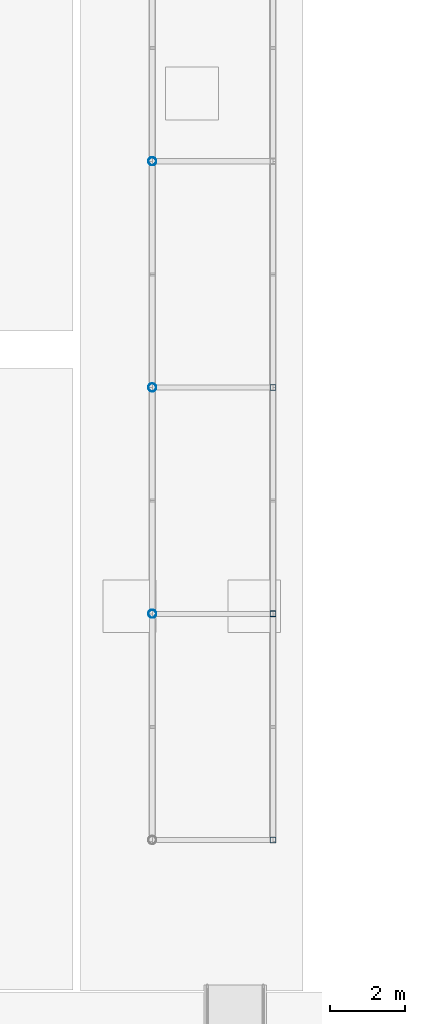
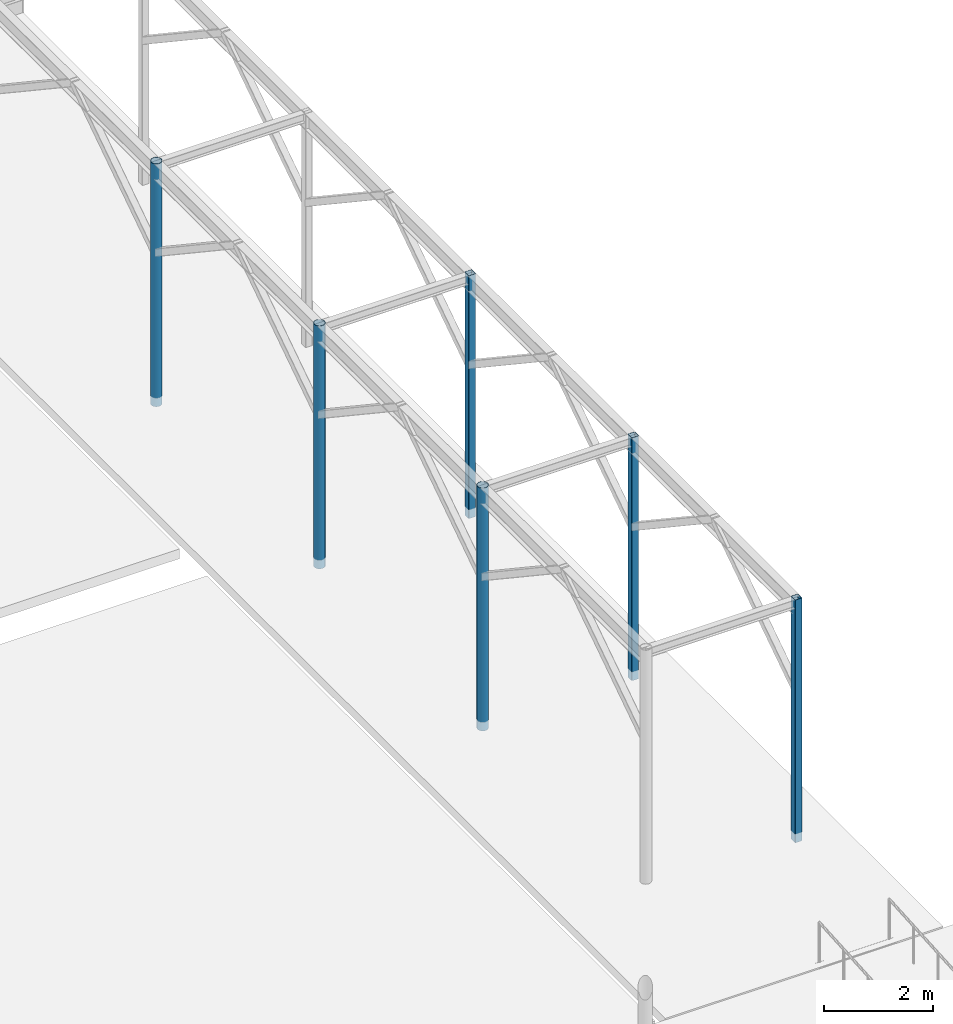
# One storey, part 36 of 119: 6 columns.
"""IFC4 building model written with IfcOpenShell, lengths in metres."""

import ifcopenshell
import ifcopenshell.guid

model = None  # the IFC model being written
_history = None  # IfcOwnerHistory: only IFC2X3 demands one
_inside = {}  # id of a spatial element -> (the spatial element, [elements in it])
_under = {}  # id of a project, library or spatial element -> (it, [spatial elements below it])
_declared = {}  # id of a project -> (the project, [libraries it declares])
_typed = {}  # id of a type object -> (the type object, [elements of that type])
_made_of = {}  # id of a material, layer set ... -> (it, [elements and type objects made of it])


def new_model(schema):
    """Start an empty IFC model of exactly this schema.

    Asked for "IFC4X3", IfcOpenShell would pick the latest addendum, in which some entities
    have other attributes; the version numbers below select the first issue.
    IFC2X3 requires an IfcOwnerHistory on every rooted entity: one is made here for all.
    """
    global model, _history
    if schema == "IFC4X3":
        model = ifcopenshell.file(schema_version=(4, 3, 0, 0))
    else:
        model = ifcopenshell.file(schema=schema)
    _inside.clear()
    _under.clear()
    _declared.clear()
    _typed.clear()
    _made_of.clear()
    _history = None
    if model.schema == "IFC2X3":
        org = make("IfcOrganization", Name="unknown")
        user = make(
            "IfcPersonAndOrganization",
            ThePerson=make("IfcPerson", FamilyName="unknown"),
            TheOrganization=org,
        )
        app = make(
            "IfcApplication",
            ApplicationDeveloper=org,
            Version="unknown",
            ApplicationFullName="unknown",
            ApplicationIdentifier="unknown",
        )
        _history = make(
            "IfcOwnerHistory",
            OwningUser=user,
            OwningApplication=app,
            ChangeAction="ADDED",
            CreationDate=0,
        )
    return model


def make(cls, **values):
    """One entity of the class cls with the attributes given. An attribute that is None is left unset."""
    return model.create_entity(
        cls, **{name: value for name, value in values.items() if value is not None}
    )


def rooted(cls, **values):
    """An entity with a GlobalId (a new one), such as an element, a storey or a relation."""
    return make(cls, GlobalId=ifcopenshell.guid.new(), OwnerHistory=_history, **values)


def si_unit(unit_type, name, prefix=None):
    """IfcSIUnit, for example si_unit("LENGTHUNIT", "METRE", prefix="MILLI")."""
    return make("IfcSIUnit", UnitType=unit_type, Prefix=prefix, Name=name)


def derived_unit(unit_type, elements):
    """IfcDerivedUnit: a product of units, each with its exponent."""
    return make(
        "IfcDerivedUnit",
        Elements=[
            make("IfcDerivedUnitElement", Unit=unit, Exponent=power)
            for unit, power in elements
        ],
        UnitType=unit_type,
    )


def assignment(units):
    """IfcUnitAssignment: the units of a project."""
    return None if units is None else make("IfcUnitAssignment", Units=units)


def point(xyz):
    """IfcCartesianPoint."""
    return None if xyz is None else make("IfcCartesianPoint", Coordinates=xyz)


def direction(xyz):
    """IfcDirection."""
    return None if xyz is None else make("IfcDirection", DirectionRatios=xyz)


def frame(location, z_axis=None, x_axis=None):
    """IfcAxis2Placement3D, a coordinate frame: its origin and axes. An axis left out is left unset."""
    return make(
        "IfcAxis2Placement3D",
        Location=point(location),
        Axis=direction(z_axis),
        RefDirection=direction(x_axis),
    )


def frame_2d(location, x_axis=None):
    """IfcAxis2Placement2D, a coordinate frame in the plane: its origin and x axis."""
    return make(
        "IfcAxis2Placement2D", Location=point(location), RefDirection=direction(x_axis)
    )


def origin():
    """The frame at (0, 0, 0) with its axes left unset."""
    return frame((0.0, 0.0, 0.0))


def origin_2d_with_axis():
    """The frame at (0, 0) in the plane with the x axis (1, 0) written out."""
    return frame_2d((0.0, 0.0), x_axis=(1.0, 0.0))


def place(relative_to, where):
    """IfcLocalPlacement: puts the frame where relative to a parent placement (None: the world)."""
    return make(
        "IfcLocalPlacement", PlacementRelTo=relative_to, RelativePlacement=where
    )


def context(
    kind, dimensions, precision=None, world=None, true_north=None, identifier=None
):
    """IfcGeometricRepresentationContext, for example the 3D "Model" context."""
    return make(
        "IfcGeometricRepresentationContext",
        ContextIdentifier=identifier,
        ContextType=kind,
        CoordinateSpaceDimension=dimensions,
        Precision=precision,
        WorldCoordinateSystem=world,
        TrueNorth=true_north,
    )


def subcontext(parent, identifier, kind, view, scale=None):
    """IfcGeometricRepresentationSubContext, for example "Body" below "Model"."""
    return make(
        "IfcGeometricRepresentationSubContext",
        ContextIdentifier=identifier,
        ContextType=kind,
        ParentContext=parent,
        TargetScale=scale,
        TargetView=view,
    )


def project(units=None, contexts=None):
    """IfcProject with its units and contexts."""
    return rooted(
        "IfcProject",
        Name="project",
        RepresentationContexts=contexts,
        UnitsInContext=assignment(units),
    )


def spatial(cls, under=None, at=None, **own):
    """A site, building, storey or space (cls), placed at a placement, below another one or the project."""
    s = rooted(cls, ObjectPlacement=at, **own)
    if under is not None:
        _under.setdefault(under.id(), (under, []))[1].append(s)
    return s


def profile(cls, at=None, kind="AREA", **sizes):
    """A parametric profile (cls). Its sizes go by their IFC names, for example OverallWidth=200.0."""
    return make(cls, ProfileType=kind, Position=at, **sizes)


def hollow_rectangle(**sizes):
    """IfcRectangleHollowProfileDef."""
    return profile("IfcRectangleHollowProfileDef", **sizes)


def hollow_circle(**sizes):
    """IfcCircleHollowProfileDef."""
    return profile("IfcCircleHollowProfileDef", **sizes)


def extrude(swept, where, along, depth):
    """IfcExtrudedAreaSolid: the profile swept, set in the frame where, extruded along a direction by depth."""
    return make(
        "IfcExtrudedAreaSolid",
        SweptArea=swept,
        Position=where,
        ExtrudedDirection=direction(along),
        Depth=depth,
    )


def shape(context_of_items, identifier, shape_type, items):
    """IfcShapeRepresentation: the items that make up one representation, for example the "Body"."""
    return make(
        "IfcShapeRepresentation",
        ContextOfItems=context_of_items,
        RepresentationIdentifier=identifier,
        RepresentationType=shape_type,
        Items=items,
    )


def material(Name=None, Category=None):
    """IfcMaterial."""
    return make("IfcMaterial", Name=Name, Category=Category)


def material_profile(
    of_material, cross_section, Name=None, Category=None, Priority=None
):
    """IfcMaterialProfile: a cross section and its material."""
    return make(
        "IfcMaterialProfile",
        Name=Name,
        Material=of_material,
        Profile=cross_section,
        Priority=Priority,
        Category=Category,
    )


def profile_set(profiles, Name=None, composite=None):
    """IfcMaterialProfileSet."""
    return make(
        "IfcMaterialProfileSet",
        Name=Name,
        MaterialProfiles=profiles,
        CompositeProfile=composite,
    )


def made_of(thing, what):
    """Note that an element or type object is made of a material, layer set ...; save() writes the relation."""
    if what is not None:
        _made_of.setdefault(what.id(), (what, []))[1].append(thing)
    return thing


def type_object(cls, material=None, **own):
    """A type object (cls), such as IfcWallType, which elements share."""
    return made_of(rooted(cls, **own), material)


def element(
    cls,
    number,
    at=None,
    inside=None,
    cuts=None,
    type_object=None,
    material=None,
    context=None,
    identifier="Body",
    shape_type=None,
    held_by="IfcProductDefinitionShape",
    body=None,
    shapes=None,
    **own,
):
    """One element of the class cls, such as IfcWall. Its Tag is "e" and its number.

    at: its placement. inside: the storey or other place that contains it. cuts: it is an
    opening in that element (IfcRelVoidsElement). A single representation is given by context,
    identifier, shape_type and body (its items); several are given by shapes. held_by: the class
    of the entity that holds the representations. save() writes the other relations.
    """
    e = rooted(cls, Tag="e%d" % number, ObjectPlacement=at, **own)
    if body is not None:
        shapes = [shape(context, identifier, shape_type, body)]
    if shapes is not None:
        e.Representation = make(held_by, Representations=shapes)
    if inside is not None:
        _inside.setdefault(inside.id(), (inside, []))[1].append(e)
    if cuts is not None:
        rooted(
            "IfcRelVoidsElement", RelatingBuildingElement=cuts, RelatedOpeningElement=e
        )
    if type_object is not None:
        _typed.setdefault(type_object.id(), (type_object, []))[1].append(e)
    return made_of(e, material)


def aggregate(whole, parts):
    """IfcRelAggregates: a whole, such as a stair, and the parts it consists of."""
    return rooted("IfcRelAggregates", RelatingObject=whole, RelatedObjects=parts)


def save(model, path):
    """Write the relations noted so far, then the file.

    IfcRelAggregates (storeys below a building ...), IfcRelContainedInSpatialStructure (elements
    in a storey), IfcRelDefinesByType, IfcRelAssociatesMaterial and IfcRelDeclares: one each for
    every whole, place, type object, material and project.
    """
    for whole, parts in _under.values():
        aggregate(whole, parts)
    for where, things in _inside.values():
        rooted(
            "IfcRelContainedInSpatialStructure",
            RelatedElements=things,
            RelatingStructure=where,
        )
    for kind, things in _typed.values():
        rooted("IfcRelDefinesByType", RelatedObjects=things, RelatingType=kind)
    for what, things in _made_of.values():
        rooted("IfcRelAssociatesMaterial", RelatedObjects=things, RelatingMaterial=what)
    for by, libraries in _declared.values():
        rooted("IfcRelDeclares", RelatingContext=by, RelatedDefinitions=libraries)
    model.write(path)


model = new_model("IFC4")

# Units and contexts
model_context = context("Model", 3, precision=1e-05, world=origin(), true_north=direction((0.0, 1.0)))
body_context = subcontext(model_context, "Body", "Model", "MODEL_VIEW")
ifc_project = project(units=[si_unit("LENGTHUNIT", "METRE"), si_unit("AREAUNIT", "SQUARE_METRE"), si_unit("VOLUMEUNIT", "CUBIC_METRE"), si_unit("PLANEANGLEUNIT", "RADIAN"), si_unit("MASSUNIT", "GRAM", prefix="KILO"), derived_unit("THERMALTRANSMITTANCEUNIT", [(si_unit("POWERUNIT", "WATT"), 1), (si_unit("LENGTHUNIT", "METRE"), -2), (si_unit("THERMODYNAMICTEMPERATUREUNIT", "KELVIN"), -1)])], contexts=[model_context])

# Site, building, storey
site_placement = place(None, origin())
site = spatial("IfcSite", under=ifc_project, at=site_placement, CompositionType="ELEMENT")
building_placement = place(site_placement, origin())
building = spatial("IfcBuilding", under=site, at=building_placement, Name="Cinnabar Yard Market Hall", CompositionType="ELEMENT")
storey_placement = place(building_placement, origin())
storey = spatial("IfcBuildingStorey", under=building, at=storey_placement, Name="L00", CompositionType="ELEMENT", Elevation=0.0)

# Columns
ifc_material_1 = material(Name="Spotted-gum glulam-clad steel Grade 350 (350 MPa)", Category="steel")
ifc_material_profile_1 = material_profile(ifc_material_1, hollow_circle(Radius=0.109619140625, WallThickness=0.00830078125, at=origin_2d_with_axis()), Name="219.1x8.2CHS")
ifc_profile_set_1 = profile_set([ifc_material_profile_1], Name="Spotted-gum glulam-clad steel Grade 350 (350 MPa)")
column_type_1 = type_object("IfcColumnType", Name="COL-C05E", PredefinedType="COLUMN", material=ifc_profile_set_1)
for number, where, z_axis, x_axis, name in (
    (1, (158.0, 84.0, -0.199951171875), (0.0, 0.0, 1.0), (1.0, 0.0, 0.0), "Passage Colonnade Post V5E-A2"),
    (2, (158.0, 90.0, -0.199951171875), (0.0, 0.0, 1.0), (1.0, 0.0, 0.0), "Passage Colonnade Post V5E-A3"),
    (3, (158.0, 96.0, -0.199951171875), (0.0, 0.0, 1.0), (1.0, 0.0, 0.0), "Passage Colonnade Post V5E-A4"),
):
    element("IfcColumn", number, at=place(storey_placement, frame(where, z_axis=z_axis, x_axis=x_axis)), inside=storey, type_object=column_type_1, Name=name, PredefinedType="COLUMN", context=body_context, shape_type="SweptSolid", body=[
        extrude(hollow_circle(Radius=0.109619140625, WallThickness=0.00830078125, at=origin_2d_with_axis()), origin(), (0.0, 0.0, 1.0), 5.449951171875),
    ])
ifc_material_2 = material(Name="Cold-formed steel C350L0", Category="steel")
ifc_material_profile_2 = material_profile(ifc_material_2, hollow_rectangle(XDim=0.14990234375, YDim=0.14990234375, WallThickness=0.006103515625, InnerFilletRadius=0.006103515625, OuterFilletRadius=0.011962890625, at=origin_2d_with_axis()), Name="150x150x6.0SHS")
ifc_profile_set_2 = profile_set([ifc_material_profile_2], Name="Cold-formed steel C350L0")
column_type_2 = type_object("IfcColumnType", Name="COL-C16E", PredefinedType="COLUMN", material=ifc_profile_set_2)
for number, where, z_axis, x_axis, name in (
    (4, (161.199951171875, 78.0, -0.199951171875), (0.0, 0.0, 1.0), (1.0, 0.0, 0.0), "Passage Colonnade Post V5E-B1"),
    (5, (161.199951171875, 84.0, -0.199951171875), (0.0, 0.0, 1.0), (1.0, 0.0, 0.0), "Passage Colonnade Post V5E-B2"),
    (6, (161.199951171875, 90.0, -0.199951171875), (0.0, 0.0, 1.0), (1.0, 0.0, 0.0), "Passage Colonnade Post V5E-B3"),
):
    element("IfcColumn", number, at=place(storey_placement, frame(where, z_axis=z_axis, x_axis=x_axis)), inside=storey, type_object=column_type_2, Name=name, PredefinedType="COLUMN", context=body_context, shape_type="SweptSolid", body=[
        extrude(hollow_rectangle(XDim=0.14990234375, YDim=0.14990234375, WallThickness=0.006103515625, InnerFilletRadius=0.006103515625, OuterFilletRadius=0.011962890625, at=origin_2d_with_axis()), origin(), (0.0, 0.0, 1.0), 5.449951171875),
    ])

save(model, "model.ifc")
